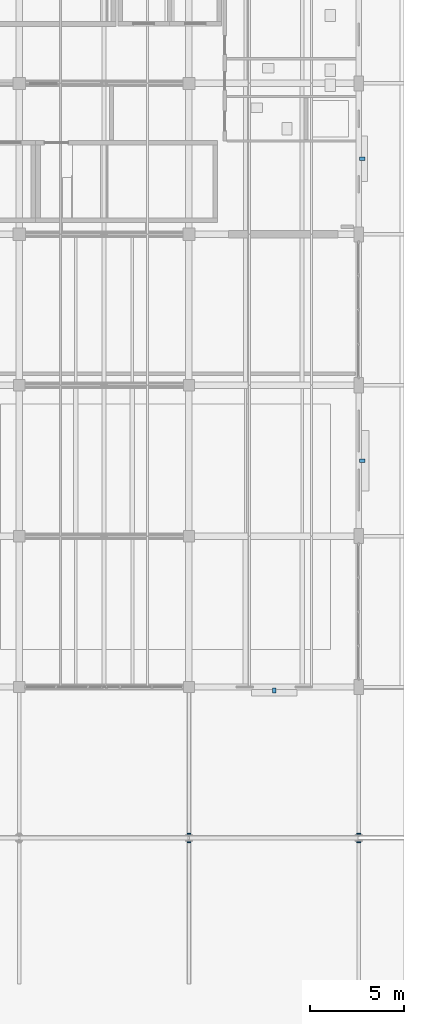
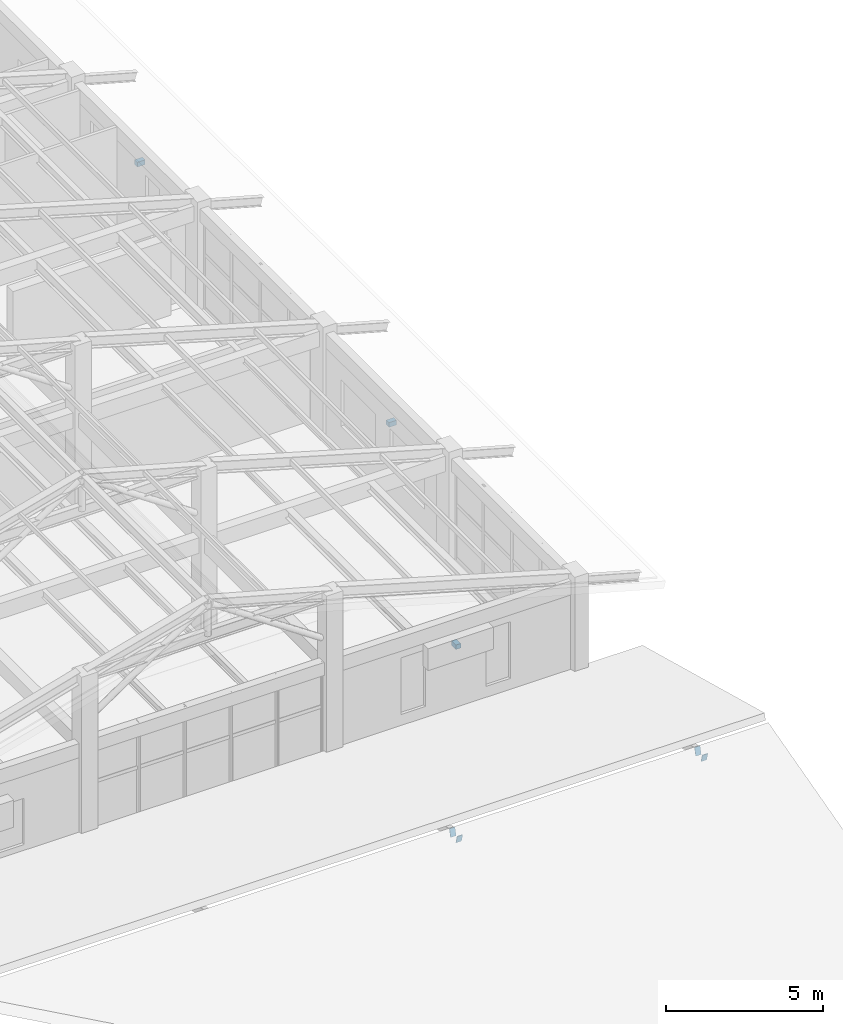
# One storey, part 52 of 58: 7 discrete accessories.
"""IFC4 building model written with IfcOpenShell, lengths in metres."""

from ifc_helpers import new_model, si_unit, derived_unit, direction, frame, origin, origin_2d, place, context, subcontext, project, spatial, rectangle, extrude, material, type_object, element, save


model = new_model("IFC4")

# Units and contexts
model_context = context("Model", 3, precision=1e-05, world=origin(), true_north=direction((0.0, 1.0)))
body_context = subcontext(model_context, "Body", "Model", "MODEL_VIEW")
ifc_project = project(units=[si_unit("LENGTHUNIT", "METRE"), si_unit("AREAUNIT", "SQUARE_METRE"), si_unit("VOLUMEUNIT", "CUBIC_METRE"), si_unit("PLANEANGLEUNIT", "RADIAN"), si_unit("MASSUNIT", "GRAM", prefix="KILO"), derived_unit("THERMALTRANSMITTANCEUNIT", [(si_unit("MASSUNIT", "GRAM", prefix="KILO"), 1), (si_unit("TIMEUNIT", "SECOND"), -3), (si_unit("THERMODYNAMICTEMPERATUREUNIT", "KELVIN"), -1)])], contexts=[model_context])

# Site, building, storey
site_placement = place(None, origin())
site = spatial("IfcSite", under=ifc_project, at=site_placement, CompositionType="ELEMENT")
building_placement = place(site_placement, origin())
building = spatial("IfcBuilding", under=site, at=building_placement, Name="Zhenchuan Archway Interchange", CompositionType="ELEMENT")
storey_placement = place(building_placement, frame((0.0, 0.0, 22.800048828125)))
storey = spatial("IfcBuildingStorey", under=building, at=storey_placement, Name="L05", CompositionType="ELEMENT", Elevation=22.800048828125)

# Discrete accessories
ifc_material_1 = material(Name="Stainless Steel 316", Category="steel")
discrete_accessory_type_1 = type_object("IfcDiscreteAccessoryType", Name="BRK_SHD_2", PredefinedType="BRACKET", material=ifc_material_1)
for number, where, z_axis, x_axis, name in (
    (1, (166.52490234375, 23.820068359375, 2.85986328125), (0.0, 0.0, 1.0), (-1.0, 0.0, 0.0), "Storm-louvre stainless fixing bracket L05-139"),
    (2, (171.179931640625, 52.0, 2.85986328125), (0.0, 0.0, 1.0), (0.0, -1.0, 0.0), "Storm-louvre stainless fixing bracket L05-148"),
    (3, (171.179931640625, 36.0, 2.4599609375), (0.0, 0.0, 1.0), (0.0, -1.0, 0.0), "Storm-louvre stainless fixing bracket L05-149"),
):
    element("IfcDiscreteAccessory", number, at=place(storey_placement, frame(where, z_axis=z_axis, x_axis=x_axis)), inside=storey, type_object=discrete_accessory_type_1, Name=name, PredefinedType="BRACKET", context=body_context, shape_type="SweptSolid", body=[
        extrude(rectangle(XDim=0.179931640625, YDim=0.280029296875, at=origin_2d()), origin(), (0.0, 0.0, 1.0), 0.179931640625),
    ])
ifc_material_2 = material(Name="Steel Q355", Category="steel")
discrete_accessory_type_2 = type_object("IfcDiscreteAccessoryType", Name="CAP_MB_RHS300", PredefinedType="USERDEFINED", material=ifc_material_2)
for number, where, z_axis, x_axis, name in (
    (4, (162.0, 15.780029296875, 1.85986328125), (0.0, 0.964763821238, 0.263117405792), (-1.0, 0.0, 0.0), "End plate at the end of East bar S rafter X162-1"),
    (5, (162.0, 16.19580078125, 1.866455078125), (0.0, 0.964763821238, -0.263117405792), (-1.0, 0.0, 0.0), "End plate at the start of East bar S rafter X162-2"),
    (6, (171.0, 15.780029296875, 1.85986328125), (0.0, 0.964763821238, 0.263117405792), (-1.0, 0.0, 0.0), "End plate at the end of East bar S rafter X171-1"),
    (7, (171.0, 16.19580078125, 1.866455078125), (0.0, 0.964763821238, -0.263117405792), (-1.0, 0.0, 0.0), "End plate at the start of East bar S rafter X171-2"),
):
    element("IfcDiscreteAccessory", number, at=place(storey_placement, frame(where, z_axis=z_axis, x_axis=x_axis)), inside=storey, type_object=discrete_accessory_type_2, Name=name, ObjectType="END PLATE", PredefinedType="USERDEFINED", context=body_context, shape_type="SweptSolid", body=[
        extrude(rectangle(XDim=0.199951171875, YDim=0.300048828125, at=origin_2d()), origin(), (0.0, 0.0, 1.0), 0.025146484375),
    ])

save(model, "model.ifc")
